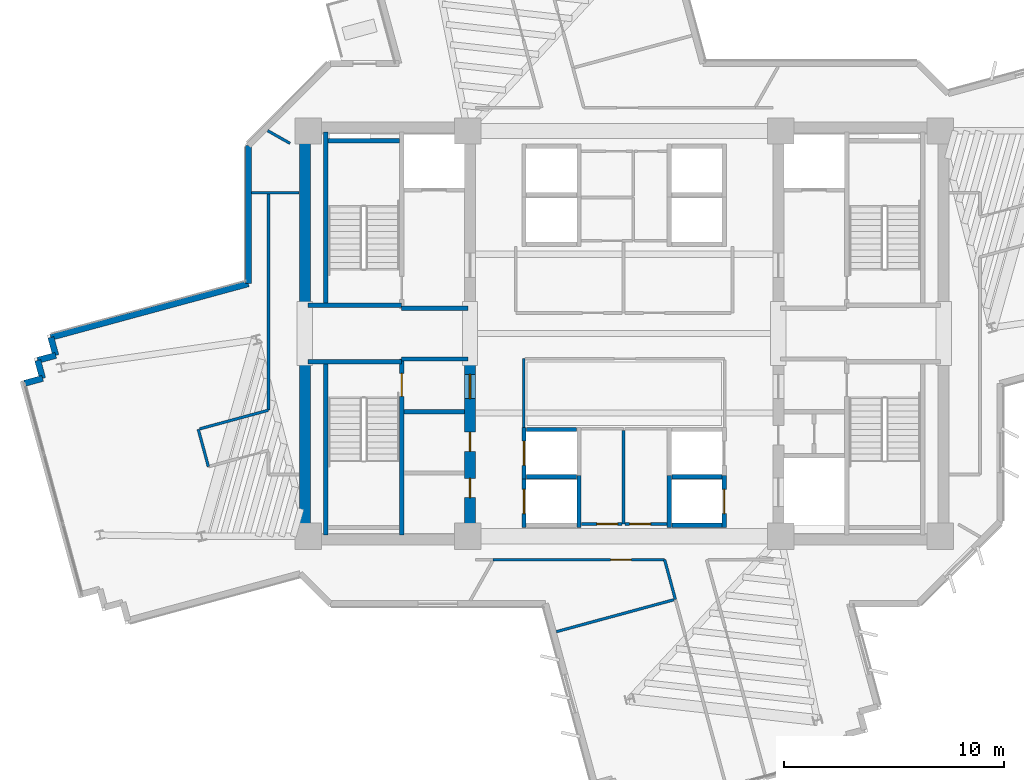
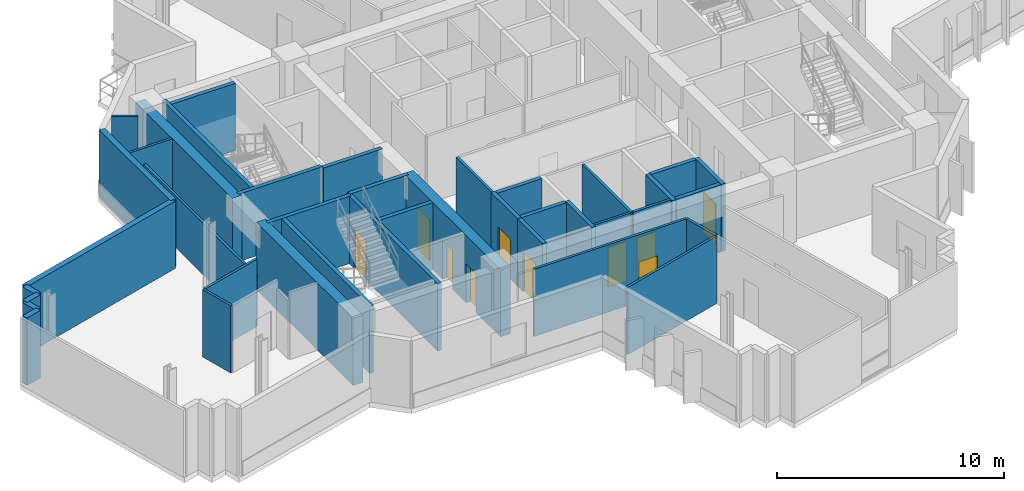
# One storey, part 8 of 15: 39 walls, 10 doors, 10 openings.
"""IFC4 building model written with IfcOpenShell, lengths in metres."""

from ifc_helpers import new_model, si_unit, direction, frame, frame_2d, origin, place, context, subcontext, project, spatial, rectangle, extrude, source, transform, mapped, material, layer, layer_set, type_object, element, fill, save


model = new_model("IFC4")

# Units and contexts
model_context = context("Model", 3, precision=1e-05, world=origin(), true_north=direction((0.0, 1.0)))
body_context = subcontext(model_context, "Body", "Model", "MODEL_VIEW")
ifc_project = project(units=[si_unit("LENGTHUNIT", "METRE"), si_unit("AREAUNIT", "SQUARE_METRE"), si_unit("VOLUMEUNIT", "CUBIC_METRE"), si_unit("PLANEANGLEUNIT", "RADIAN"), si_unit("MASSUNIT", "GRAM", prefix="KILO")], contexts=[model_context])

# Site, building, storey
site_placement = place(None, origin())
site = spatial("IfcSite", under=ifc_project, at=site_placement, CompositionType="ELEMENT")
building_placement = place(site_placement, origin())
building = spatial("IfcBuilding", under=site, at=building_placement, Name="Zahravan Cultural Tower", CompositionType="ELEMENT")
storey_placement = place(building_placement, frame((0.0, 0.0, 194.10009765625)))
storey = spatial("IfcBuildingStorey", under=building, at=storey_placement, Name="L45", CompositionType="ELEMENT", Elevation=194.10009765625)

# Wall, openings, doors
ifc_material_1 = material(Name="Concrete C60/75", Category="concrete")
ifc_layer_1 = layer(ifc_material_1, 0.5)
ifc_layer_set_1 = layer_set([ifc_layer_1], Name="Concrete C60/75")
wall_type_1 = type_object("IfcWallType", Name="CW-SHEAR-500-C60", PredefinedType="SHEAR", material=ifc_layer_set_1)
wall_1_placement = place(storey_placement, frame((29.0, 17.39990234375, 0.0), z_axis=(0.0, 0.0, 1.0), x_axis=(0.0, 1.0, 0.0)))
wall_1 = element("IfcWall", 1, at=wall_1_placement, inside=storey, type_object=wall_type_1, Name="L45 Core Shear Wall CW-W-ES-L45", PredefinedType="SHEAR", context=body_context, shape_type="SweptSolid", body=[
    extrude(rectangle(XDim=8.550048828125, YDim=0.5, at=frame_2d((4.27490234375, 0.0))), origin(), (0.0, 0.0, 1.0), 3.619873046875),
])
opening_1_placement = place(wall_1_placement, frame((6.64990234375, 0.0, 0.0)))
opening_1 = element("IfcOpeningElement", 2, at=opening_1_placement, cuts=wall_1, Name="Opening D-L45-07", PredefinedType="OPENING", context=body_context, shape_type="SweptSolid", body=[
    extrude(rectangle(XDim=1.10009765625, YDim=2.199951171875, at=frame_2d((0.550048828125, 1.10009765625))), frame((0.0, 0.260009765625, 0.0), z_axis=(0.0, -1.0, 0.0), x_axis=(1.0, 0.0, 0.0)), (0.0, 0.0, 1.0), 0.52001953125),
])
opening_2_placement = place(wall_1_placement, frame((2.14990234375, 0.0, 0.0)))
opening_2 = element("IfcOpeningElement", 3, at=opening_2_placement, cuts=wall_1, Name="Opening D-L45-09", PredefinedType="OPENING", context=body_context, shape_type="SweptSolid", body=[
    extrude(rectangle(XDim=0.8798828125, YDim=2.10009765625, at=frame_2d((0.43994140625, 1.050048828125))), frame((0.0, 0.260009765625, 0.0), z_axis=(0.0, -1.0, 0.0), x_axis=(1.0, 0.0, 0.0)), (0.0, 0.0, 1.0), 0.52001953125),
])
opening_3_placement = place(wall_1_placement, frame((4.25, 0.0, 0.0)))
opening_3 = element("IfcOpeningElement", 4, at=opening_3_placement, cuts=wall_1, Name="Opening D-L45-10", PredefinedType="OPENING", context=body_context, shape_type="SweptSolid", body=[
    extrude(rectangle(XDim=0.8798828125, YDim=2.10009765625, at=frame_2d((0.43994140625, 1.050048828125))), frame((0.0, 0.260009765625, 0.0), z_axis=(0.0, -1.0, 0.0), x_axis=(1.0, 0.0, 0.0)), (0.0, 0.0, 1.0), 0.52001953125),
])
ifc_material_2 = material(Name="Steel ASTM A572 Grade 50", Category="steel")
door_type_1 = type_object("IfcDoorType", Name="DR-LOBBY-1100", OperationType="NOTDEFINED", PredefinedType="DOOR", material=ifc_material_2)
shared_shape_1 = source(origin(), body_context, "Body", "SweptSolid", [
    extrude(rectangle(XDim=1.10009765625, YDim=2.199951171875, at=frame_2d((0.550048828125, 1.10009765625))), frame((0.0, 0.02490234375, 0.0), z_axis=(0.0, -1.0, 0.0), x_axis=(1.0, 0.0, 0.0)), (0.0, 0.0, 1.0), 0.050048828125),
])
door_1_placement = place(opening_1_placement, origin())
door_1 = element("IfcDoor", 5, at=door_1_placement, inside=storey, type_object=door_type_1, Name="L45 Door D-L45-07", OperationType="SINGLE_SWING_LEFT", OverallHeight=2.199951171875, OverallWidth=1.10009765625, PredefinedType="DOOR", context=body_context, shape_type="MappedRepresentation", body=[
    mapped(shared_shape_1, transform((0.0, 0.0, 0.0), x_axis=(1.0, 0.0, 0.0), y_axis=(0.0, 1.0, 0.0), z_axis=(0.0, 0.0, 1.0), scale=1.0)),
])
fill(opening_1, door_1)
door_type_2 = type_object("IfcDoorType", Name="DR-SVC-880", OperationType="NOTDEFINED", PredefinedType="DOOR", material=ifc_material_2)
shared_shape_2 = source(origin(), body_context, "Body", "SweptSolid", [
    extrude(rectangle(XDim=0.8798828125, YDim=2.10009765625, at=frame_2d((0.43994140625, 1.050048828125))), frame((0.0, 0.02490234375, 0.0), z_axis=(0.0, -1.0, 0.0), x_axis=(1.0, 0.0, 0.0)), (0.0, 0.0, 1.0), 0.050048828125),
])
door_2_placement = place(opening_2_placement, origin())
door_2 = element("IfcDoor", 6, at=door_2_placement, inside=storey, type_object=door_type_2, Name="L45 Door D-L45-09", OperationType="SINGLE_SWING_LEFT", OverallHeight=2.10009765625, OverallWidth=0.8798828125, PredefinedType="DOOR", context=body_context, shape_type="MappedRepresentation", body=[
    mapped(shared_shape_2, transform((0.0, 0.0, 0.0), x_axis=(1.0, 0.0, 0.0), y_axis=(0.0, 1.0, 0.0), z_axis=(0.0, 0.0, 1.0), scale=1.0)),
])
fill(opening_2, door_2)
door_3_placement = place(opening_3_placement, origin())
door_3 = element("IfcDoor", 7, at=door_3_placement, inside=storey, type_object=door_type_2, Name="L45 Door D-L45-10", OperationType="SINGLE_SWING_RIGHT", OverallHeight=2.10009765625, OverallWidth=0.8798828125, PredefinedType="DOOR", context=body_context, shape_type="MappedRepresentation", body=[
    mapped(shared_shape_2, transform((0.0, 0.0, 0.0), x_axis=(1.0, 0.0, 0.0), y_axis=(0.0, 1.0, 0.0), z_axis=(0.0, 0.0, 1.0), scale=1.0)),
])
fill(opening_3, door_3)

# Wall, opening, door
ifc_material_3 = material(Name="Gypsum plasterboard partition")
ifc_layer_2 = layer(ifc_material_3, 0.125)
ifc_layer_set_2 = layer_set([ifc_layer_2], Name="Gypsum plasterboard partition")
wall_type_2 = type_object("IfcWallType", Name="W-PART-125", PredefinedType="PARTITIONING", material=ifc_layer_set_2)
wall_2_placement = place(storey_placement, frame((35.902587890625, 18.360107421875, 0.0), z_axis=(0.0, 0.0, 1.0), x_axis=(-1.0, 0.0, 0.0)))
wall_2 = element("IfcWall", 8, at=wall_2_placement, inside=storey, type_object=wall_type_2, Name="L45 Interior Wall 065", PredefinedType="PARTITIONING", context=body_context, shape_type="SweptSolid", body=[
    extrude(rectangle(XDim=1.84765625, YDim=0.125, at=frame_2d((0.923828125, 0.0))), origin(), (0.0, 0.0, 1.0), 3.619873046875),
])
opening_4_placement = place(wall_2_placement, frame((0.197509765625, 0.0, 0.0)))
opening_4 = element("IfcOpeningElement", 9, at=opening_4_placement, cuts=wall_2, Name="Opening D-L45-18", PredefinedType="OPENING", context=body_context, shape_type="SweptSolid", body=[
    extrude(rectangle(XDim=0.949951171875, YDim=2.14990234375, at=frame_2d((0.47509765625, 1.074951171875))), frame((0.0, 0.072509765625, 0.0), z_axis=(0.0, -1.0, 0.0), x_axis=(1.0, 0.0, 0.0)), (0.0, 0.0, 1.0), 0.14501953125),
])
ifc_material_4 = material(Name="Anodised bronze-aluminium mullion", Category="aluminium")
door_type_3 = type_object("IfcDoorType", Name="DR-ROOM-950", OperationType="NOTDEFINED", PredefinedType="DOOR", material=ifc_material_4)
shared_shape_3 = source(origin(), body_context, "Body", "SweptSolid", [
    extrude(rectangle(XDim=0.949951171875, YDim=2.14990234375, at=frame_2d((0.47509765625, 1.074951171875))), frame((0.0, 0.02490234375, 0.0), z_axis=(0.0, -1.0, 0.0), x_axis=(1.0, 0.0, 0.0)), (0.0, 0.0, 1.0), 0.050048828125),
])
door_4_placement = place(opening_4_placement, origin())
door_4 = element("IfcDoor", 10, at=door_4_placement, inside=storey, type_object=door_type_3, Name="L45 Door D-L45-18", OperationType="SINGLE_SWING_RIGHT", OverallHeight=2.14990234375, OverallWidth=0.949951171875, PredefinedType="DOOR", context=body_context, shape_type="MappedRepresentation", body=[
    mapped(shared_shape_3, transform((0.0, 0.0, 0.0), x_axis=(1.0, 0.0, 0.0), y_axis=(0.0, 1.0, 0.0), z_axis=(0.0, 0.0, 1.0), scale=1.0)),
])
fill(opening_4, door_4)

wall_3_placement = place(storey_placement, frame((37.945068359375, 18.360107421875, 0.0), z_axis=(0.0, 0.0, 1.0), x_axis=(-1.0, 0.0, 0.0)))
wall_3 = element("IfcWall", 11, at=wall_3_placement, inside=storey, type_object=wall_type_2, Name="L45 Interior Wall 067", PredefinedType="PARTITIONING", context=body_context, shape_type="SweptSolid", body=[
    extrude(rectangle(XDim=1.907470703125, YDim=0.125, at=frame_2d((0.95361328125, 0.0))), origin(), (0.0, 0.0, 1.0), 3.619873046875),
])
opening_5_placement = place(wall_3_placement, frame((0.746826171875, 0.0, 0.0)))
opening_5 = element("IfcOpeningElement", 12, at=opening_5_placement, cuts=wall_3, Name="Opening D-L45-19", PredefinedType="OPENING", context=body_context, shape_type="SweptSolid", body=[
    extrude(rectangle(XDim=0.949951171875, YDim=2.14990234375, at=frame_2d((0.47509765625, 1.074951171875))), frame((0.0, 0.072509765625, 0.0), z_axis=(0.0, -1.0, 0.0), x_axis=(1.0, 0.0, 0.0)), (0.0, 0.0, 1.0), 0.14501953125),
])
door_5_placement = place(opening_5_placement, origin())
door_5 = element("IfcDoor", 13, at=door_5_placement, inside=storey, type_object=door_type_3, Name="L45 Door D-L45-19", OperationType="SINGLE_SWING_LEFT", OverallHeight=2.14990234375, OverallWidth=0.949951171875, PredefinedType="DOOR", context=body_context, shape_type="MappedRepresentation", body=[
    mapped(shared_shape_3, transform((0.0, 0.0, 0.0), x_axis=(1.0, 0.0, 0.0), y_axis=(0.0, 1.0, 0.0), z_axis=(0.0, 0.0, 1.0), scale=1.0)),
])
fill(opening_5, door_5)

wall_4_placement = place(storey_placement, frame((30.044677734375, 16.739990234375, 0.0), z_axis=(0.0, 0.0, 1.0), x_axis=(1.0, 0.0, 0.0)))
wall_4 = element("IfcWall", 14, at=wall_4_placement, inside=storey, type_object=wall_type_2, Name="L45 Interior Wall 077", PredefinedType="PARTITIONING", context=body_context, shape_type="SweptSolid", body=[
    extrude(rectangle(XDim=7.78955078125, YDim=0.125, at=frame_2d((3.894775390625, 0.0))), origin(), (0.0, 0.0, 1.0), 3.619873046875),
])
opening_6_placement = place(wall_4_placement, frame((5.3349609375, 0.0, 0.0)))
opening_6 = element("IfcOpeningElement", 15, at=opening_6_placement, cuts=wall_4, Name="Opening D-L45-25", PredefinedType="OPENING", context=body_context, shape_type="SweptSolid", body=[
    extrude(rectangle(XDim=0.949951171875, YDim=2.14990234375, at=frame_2d((0.47509765625, 1.074951171875))), frame((0.0, 0.072509765625, 0.0), z_axis=(0.0, -1.0, 0.0), x_axis=(1.0, 0.0, 0.0)), (0.0, 0.0, 1.0), 0.14501953125),
])
door_6_placement = place(opening_6_placement, origin())
door_6 = element("IfcDoor", 16, at=door_6_placement, inside=storey, type_object=door_type_3, Name="L45 Door D-L45-25", OperationType="SINGLE_SWING_LEFT", OverallHeight=2.14990234375, OverallWidth=0.949951171875, PredefinedType="DOOR", context=body_context, shape_type="MappedRepresentation", body=[
    mapped(shared_shape_3, transform((0.0, 0.0, 0.0), x_axis=(1.0, 0.0, 0.0), y_axis=(0.0, 1.0, 0.0), z_axis=(0.0, 0.0, 1.0), scale=1.0)),
])
fill(opening_6, door_6)

ifc_material_5 = material(Name="Concrete C45/55", Category="concrete")
ifc_layer_3 = layer(ifc_material_5, 0.199951171875)
ifc_layer_set_3 = layer_set([ifc_layer_3], Name="Concrete C45/55")
wall_type_3 = type_object("IfcWallType", Name="W-SHAFT-200", PredefinedType="SOLIDWALL", material=ifc_layer_set_3)
wall_5_placement = place(storey_placement, frame((25.89990234375, 17.85009765625, 0.0), z_axis=(0.0, 0.0, 1.0), x_axis=(0.0, 1.0, 0.0)))
wall_5 = element("IfcWall", 17, at=wall_5_placement, inside=storey, type_object=wall_type_3, Name="L45 Interior Wall 005", PredefinedType="SOLIDWALL", context=body_context, shape_type="SweptSolid", body=[
    extrude(rectangle(XDim=8.0, YDim=0.199951171875, at=frame_2d((4.0, 0.0))), origin(), (0.0, 0.0, 1.0), 3.619873046875),
])
opening_7_placement = place(wall_5_placement, frame((6.300048828125, 0.0, 0.0)))
opening_7 = element("IfcOpeningElement", 18, at=opening_7_placement, cuts=wall_5, Name="Opening D-L45-04", PredefinedType="OPENING", context=body_context, shape_type="SweptSolid", body=[
    extrude(rectangle(XDim=1.050048828125, YDim=2.14990234375, at=frame_2d((0.52490234375, 1.074951171875))), frame((0.0, 0.10986328125, 0.0), z_axis=(0.0, -1.0, 0.0), x_axis=(1.0, 0.0, 0.0)), (0.0, 0.0, 1.0), 0.219970703125),
])
door_type_4 = type_object("IfcDoorType", Name="DR-STAIR-1050", OperationType="NOTDEFINED", PredefinedType="DOOR", material=ifc_material_2)
shared_shape_4 = source(origin(), body_context, "Body", "SweptSolid", [
    extrude(rectangle(XDim=1.050048828125, YDim=2.14990234375, at=frame_2d((0.52490234375, 1.074951171875))), frame((0.0, 0.02490234375, 0.0), z_axis=(0.0, -1.0, 0.0), x_axis=(1.0, 0.0, 0.0)), (0.0, 0.0, 1.0), 0.050048828125),
])
door_7_placement = place(opening_7_placement, origin())
door_7 = element("IfcDoor", 19, at=door_7_placement, inside=storey, type_object=door_type_4, Name="L45 Door D-L45-04", OperationType="SINGLE_SWING_RIGHT", OverallHeight=2.14990234375, OverallWidth=1.050048828125, PredefinedType="DOOR", context=body_context, shape_type="MappedRepresentation", body=[
    mapped(shared_shape_4, transform((0.0, 0.0, 0.0), x_axis=(1.0, 0.0, 0.0), y_axis=(0.0, 1.0, 0.0), z_axis=(0.0, 0.0, 1.0), scale=1.0)),
])
fill(opening_7, door_7)

wall_6_placement = place(storey_placement, frame((31.449951171875, 20.39990234375, 0.0), z_axis=(0.0, 0.0, 1.0), x_axis=(0.0, 1.0, 0.0)))
wall_6 = element("IfcWall", 20, at=wall_6_placement, inside=storey, type_object=wall_type_3, Name="L45 Interior Wall 042", PredefinedType="SOLIDWALL", context=body_context, shape_type="SweptSolid", body=[
    extrude(rectangle(XDim=2.35009765625, YDim=0.199951171875, at=frame_2d((1.175048828125, 0.0))), origin(), (0.0, 0.0, 1.0), 3.619873046875),
])
opening_8_placement = place(wall_6_placement, frame((0.625, 0.0, 0.0)))
opening_8 = element("IfcOpeningElement", 21, at=opening_8_placement, cuts=wall_6, Name="Opening LD-L45-04", PredefinedType="OPENING", context=body_context, shape_type="SweptSolid", body=[
    extrude(rectangle(XDim=1.10009765625, YDim=2.14990234375, at=frame_2d((0.550048828125, 1.074951171875))), frame((0.0, 0.10986328125, 0.0), z_axis=(0.0, -1.0, 0.0), x_axis=(1.0, 0.0, 0.0)), (0.0, 0.0, 1.0), 0.219970703125),
])
door_type_5 = type_object("IfcDoorType", Name="DR-LIFT-1100", OperationType="DOUBLE_DOOR_SLIDING", PredefinedType="DOOR", material=ifc_material_2)
shared_shape_5 = source(origin(), body_context, "Body", "SweptSolid", [
    extrude(rectangle(XDim=1.10009765625, YDim=2.14990234375, at=frame_2d((0.550048828125, 1.074951171875))), frame((0.0, 0.02490234375, 0.0), z_axis=(0.0, -1.0, 0.0), x_axis=(1.0, 0.0, 0.0)), (0.0, 0.0, 1.0), 0.050048828125),
])
door_8_placement = place(opening_8_placement, origin())
door_8 = element("IfcDoor", 22, at=door_8_placement, inside=storey, type_object=door_type_5, Name="L45 Door LD-L45-04", OperationType="DOUBLE_DOOR_SLIDING", OverallHeight=2.14990234375, OverallWidth=1.10009765625, PredefinedType="DOOR", context=body_context, shape_type="MappedRepresentation", body=[
    mapped(shared_shape_5, transform((0.0, 0.0, 0.0), x_axis=(1.0, 0.0, 0.0), y_axis=(0.0, 1.0, 0.0), z_axis=(0.0, 0.0, 1.0), scale=1.0)),
])
fill(opening_8, door_8)

wall_7_placement = place(storey_placement, frame((31.449951171875, 18.199951171875, 0.0), z_axis=(0.0, 0.0, 1.0), x_axis=(0.0, 1.0, 0.0)))
wall_7 = element("IfcWall", 23, at=wall_7_placement, inside=storey, type_object=wall_type_3, Name="L45 Interior Wall 046", PredefinedType="SOLIDWALL", context=body_context, shape_type="SweptSolid", body=[
    extrude(rectangle(XDim=2.35009765625, YDim=0.199951171875, at=frame_2d((1.175048828125, 0.0))), origin(), (0.0, 0.0, 1.0), 3.619873046875),
])
opening_9_placement = place(wall_7_placement, frame((0.625, 0.0, 0.0)))
opening_9 = element("IfcOpeningElement", 24, at=opening_9_placement, cuts=wall_7, Name="Opening LD-L45-05", PredefinedType="OPENING", context=body_context, shape_type="SweptSolid", body=[
    extrude(rectangle(XDim=1.10009765625, YDim=2.14990234375, at=frame_2d((0.550048828125, 1.074951171875))), frame((0.0, 0.10986328125, 0.0), z_axis=(0.0, -1.0, 0.0), x_axis=(1.0, 0.0, 0.0)), (0.0, 0.0, 1.0), 0.219970703125),
])
door_9_placement = place(opening_9_placement, origin())
door_9 = element("IfcDoor", 25, at=door_9_placement, inside=storey, type_object=door_type_5, Name="L45 Door LD-L45-05", OperationType="DOUBLE_DOOR_SLIDING", OverallHeight=2.14990234375, OverallWidth=1.10009765625, PredefinedType="DOOR", context=body_context, shape_type="MappedRepresentation", body=[
    mapped(shared_shape_5, transform((0.0, 0.0, 0.0), x_axis=(1.0, 0.0, 0.0), y_axis=(0.0, 1.0, 0.0), z_axis=(0.0, 0.0, 1.0), scale=1.0)),
])
fill(opening_9, door_9)

wall_8_placement = place(storey_placement, frame((40.550048828125, 18.199951171875, 0.0), z_axis=(0.0, 0.0, 1.0), x_axis=(0.0, 1.0, 0.0)))
wall_8 = element("IfcWall", 26, at=wall_8_placement, inside=storey, type_object=wall_type_3, Name="L45 Interior Wall 054", PredefinedType="SOLIDWALL", context=body_context, shape_type="SweptSolid", body=[
    extrude(rectangle(XDim=2.35009765625, YDim=0.199951171875, at=frame_2d((1.175048828125, 0.0))), origin(), (0.0, 0.0, 1.0), 3.619873046875),
])
opening_10_placement = place(wall_8_placement, frame((0.625, 0.0, 0.0)))
opening_10 = element("IfcOpeningElement", 27, at=opening_10_placement, cuts=wall_8, Name="Opening LD-L45-07", PredefinedType="OPENING", context=body_context, shape_type="SweptSolid", body=[
    extrude(rectangle(XDim=1.10009765625, YDim=2.14990234375, at=frame_2d((0.550048828125, 1.074951171875))), frame((0.0, 0.10986328125, 0.0), z_axis=(0.0, -1.0, 0.0), x_axis=(1.0, 0.0, 0.0)), (0.0, 0.0, 1.0), 0.219970703125),
])
door_10_placement = place(opening_10_placement, origin())
door_10 = element("IfcDoor", 28, at=door_10_placement, inside=storey, type_object=door_type_5, Name="L45 Door LD-L45-07", OperationType="DOUBLE_DOOR_SLIDING", OverallHeight=2.14990234375, OverallWidth=1.10009765625, PredefinedType="DOOR", context=body_context, shape_type="MappedRepresentation", body=[
    mapped(shared_shape_5, transform((0.0, 0.0, 0.0), x_axis=(1.0, 0.0, 0.0), y_axis=(0.0, 1.0, 0.0), z_axis=(0.0, 0.0, 1.0), scale=1.0)),
])
fill(opening_10, door_10)

# Walls
shared_shape_6 = source(origin(), body_context, "Body", "SweptSolid", [
    extrude(rectangle(XDim=8.550048828125, YDim=0.5, at=frame_2d((4.27490234375, 0.0))), origin(), (0.0, 0.0, 1.0), 3.619873046875),
])
for number, where, z_axis, x_axis, name in (
    (29, (21.5, 17.39990234375, 0.0), (0.0, 0.0, 1.0), (0.0, 1.0, 0.0), "L45 Core Shear Wall CW-W-WS-L45"),
    (30, (21.5, 28.050048828125, 0.0), (0.0, 0.0, 1.0), (0.0, 1.0, 0.0), "L45 Core Shear Wall CW-W-WN-L45"),
):
    element("IfcWall", number, at=place(storey_placement, frame(where, z_axis=z_axis, x_axis=x_axis)), inside=storey, type_object=wall_type_1, Name=name, PredefinedType="SHEAR", context=body_context, shape_type="MappedRepresentation", body=[
        mapped(shared_shape_6, transform((0.0, 0.0, 0.0), x_axis=(1.0, 0.0, 0.0), y_axis=(0.0, 1.0, 0.0), z_axis=(0.0, 0.0, 1.0), scale=1.0)),
    ])
ifc_material_6 = material(Name="Precast concrete C40/50", Category="concrete")
ifc_layer_4 = layer(ifc_material_6, 0.280029296875)
ifc_layer_set_4 = layer_set([ifc_layer_4], Name="Precast concrete C40/50")
wall_type_4 = type_object("IfcWallType", Name="EW-TC-280", PredefinedType="SOLIDWALL", material=ifc_layer_set_4)
shared_shape_7 = source(origin(), body_context, "Body", "SweptSolid", [
    extrude(rectangle(XDim=0.85009765625, YDim=0.280029296875, at=frame_2d((0.425048828125, 0.0))), origin(), (0.0, 0.0, 1.0), 3.619873046875),
])
for number, where, z_axis, x_axis, name in (
    (31, (8.779296875, 24.744140625, 0.0), (0.0, 0.0, 1.0), (0.965081274591, 0.261950631675, 0.0), "L45 Exterior Masonry Frame Wall 32"),
    (32, (9.599609375, 24.966796875, 0.0), (0.0, 0.0, 1.0), (-0.262218119094, 0.965008631059, 0.0), "L45 Exterior Masonry Frame Wall 33"),
    (33, (9.376708984375, 25.787109375, 0.0), (0.0, 0.0, 1.0), (0.965008631059, 0.262218119094, 0.0), "L45 Exterior Masonry Frame Wall 34"),
    (34, (10.197021484375, 26.010009765625, 0.0), (0.0, 0.0, 1.0), (-0.262218119094, 0.965008631059, 0.0), "L45 Exterior Masonry Frame Wall 35"),
):
    element("IfcWall", number, at=place(storey_placement, frame(where, z_axis=z_axis, x_axis=x_axis)), inside=storey, type_object=wall_type_4, Name=name, PredefinedType="SOLIDWALL", context=body_context, shape_type="MappedRepresentation", body=[
        mapped(shared_shape_7, transform((0.0, 0.0, 0.0), x_axis=(1.0, 0.0, 0.0), y_axis=(0.0, 1.0, 0.0), z_axis=(0.0, 0.0, 1.0), scale=1.0)),
    ])
shared_shape_8 = source(origin(), body_context, "Body", "SweptSolid", [
    extrude(rectangle(XDim=9.290771484375, YDim=0.280029296875, at=frame_2d((4.6455078125, 0.0))), origin(), (0.0, 0.0, 1.0), 3.619873046875),
])
wall_9_placement = place(storey_placement, frame((9.97412109375, 26.830322265625, 0.0), z_axis=(0.0, 0.0, 1.0), x_axis=(0.965014433153, 0.262196765439, 0.0)))
element("IfcWall", 35, at=wall_9_placement, inside=storey, type_object=wall_type_4, Name="L45 Exterior Masonry Frame Wall 36", PredefinedType="SOLIDWALL", context=body_context, shape_type="MappedRepresentation", body=[
    mapped(shared_shape_8, transform((0.0, 0.0, 0.0), x_axis=(1.0, 0.0, 0.0), y_axis=(0.0, 1.0, 0.0), z_axis=(0.0, 0.0, 1.0), scale=1.0)),
])
shared_shape_9 = source(origin(), body_context, "Body", "SweptSolid", [
    extrude(rectangle(XDim=6.275634765625, YDim=0.280029296875, at=frame_2d((3.1376953125, 0.0))), origin(), (0.0, 0.0, 1.0), 3.619873046875),
])
wall_10_placement = place(storey_placement, frame((18.93994140625, 29.266357421875, 0.0), z_axis=(0.0, 0.0, 1.0), x_axis=(0.0, 1.0, 0.0)))
element("IfcWall", 36, at=wall_10_placement, inside=storey, type_object=wall_type_4, Name="L45 Exterior Masonry Frame Wall 37", PredefinedType="SOLIDWALL", context=body_context, shape_type="MappedRepresentation", body=[
    mapped(shared_shape_9, transform((0.0, 0.0, 0.0), x_axis=(1.0, 0.0, 0.0), y_axis=(0.0, 1.0, 0.0), z_axis=(0.0, 0.0, 1.0), scale=1.0)),
])
shared_shape_10 = source(origin(), body_context, "Body", "SweptSolid", [
    extrude(rectangle(XDim=7.869873046875, YDim=0.199951171875, at=frame_2d((3.93505859375, 0.0))), origin(), (0.0, 0.0, 1.0), 3.619873046875),
])
for number, where, z_axis, x_axis, name in (
    (37, (22.449951171875, 17.85009765625, 0.0), (0.0, 0.0, 1.0), (0.0, 1.0, 0.0), "L45 Interior Wall 001"),
    (38, (22.449951171875, 28.280029296875, 0.0), (0.0, 0.0, 1.0), (0.0, 1.0, 0.0), "L45 Interior Wall 002"),
):
    element("IfcWall", number, at=place(storey_placement, frame(where, z_axis=z_axis, x_axis=x_axis)), inside=storey, type_object=wall_type_3, Name=name, PredefinedType="SOLIDWALL", context=body_context, shape_type="MappedRepresentation", body=[
        mapped(shared_shape_10, transform((0.0, 0.0, 0.0), x_axis=(1.0, 0.0, 0.0), y_axis=(0.0, 1.0, 0.0), z_axis=(0.0, 0.0, 1.0), scale=1.0)),
    ])
shared_shape_11 = source(origin(), body_context, "Body", "SweptSolid", [
    extrude(rectangle(XDim=4.25, YDim=0.199951171875, at=frame_2d((2.125, 0.0))), origin(), (0.0, 0.0, 1.0), 3.619873046875),
])
for number, where, z_axis, x_axis, name in (
    (39, (21.64990234375, 25.715087890625, 0.0), (0.0, 0.0, 1.0), (1.0, 0.0, 0.0), "L45 Interior Wall 009"),
    (40, (21.64990234375, 28.284912109375, 0.0), (0.0, 0.0, 1.0), (1.0, 0.0, 0.0), "L45 Interior Wall 011"),
):
    element("IfcWall", number, at=place(storey_placement, frame(where, z_axis=z_axis, x_axis=x_axis)), inside=storey, type_object=wall_type_3, Name=name, PredefinedType="SOLIDWALL", context=body_context, shape_type="MappedRepresentation", body=[
        mapped(shared_shape_11, transform((0.0, 0.0, 0.0), x_axis=(1.0, 0.0, 0.0), y_axis=(0.0, 1.0, 0.0), z_axis=(0.0, 0.0, 1.0), scale=1.0)),
    ])
shared_shape_12 = source(origin(), body_context, "Body", "SweptSolid", [
    extrude(rectangle(XDim=3.0, YDim=0.199951171875, at=frame_2d((1.5, 0.0))), origin(), (0.0, 0.0, 1.0), 3.619873046875),
])
for number, where, z_axis, x_axis, name in (
    (41, (25.89990234375, 25.85009765625, 0.0), (0.0, 0.0, 1.0), (1.0, 0.0, 0.0), "L45 Interior Wall 010"),
    (42, (25.89990234375, 28.14990234375, 0.0), (0.0, 0.0, 1.0), (1.0, 0.0, 0.0), "L45 Interior Wall 012"),
):
    element("IfcWall", number, at=place(storey_placement, frame(where, z_axis=z_axis, x_axis=x_axis)), inside=storey, type_object=wall_type_3, Name=name, PredefinedType="SOLIDWALL", context=body_context, shape_type="MappedRepresentation", body=[
        mapped(shared_shape_12, transform((0.0, 0.0, 0.0), x_axis=(1.0, 0.0, 0.0), y_axis=(0.0, 1.0, 0.0), z_axis=(0.0, 0.0, 1.0), scale=1.0)),
    ])
shared_shape_13 = source(origin(), body_context, "Body", "SweptSolid", [
    extrude(rectangle(XDim=3.25, YDim=0.199951171875, at=frame_2d((1.625, 0.0))), origin(), (0.0, 0.0, 1.0), 3.619873046875),
])
wall_11_placement = place(storey_placement, frame((22.550048828125, 35.75, 0.0), z_axis=(0.0, 0.0, 1.0), x_axis=(1.0, 0.0, 0.0)))
element("IfcWall", 43, at=wall_11_placement, inside=storey, type_object=wall_type_3, Name="L45 Interior Wall 017", PredefinedType="SOLIDWALL", context=body_context, shape_type="MappedRepresentation", body=[
    mapped(shared_shape_13, transform((0.0, 0.0, 0.0), x_axis=(1.0, 0.0, 0.0), y_axis=(0.0, 1.0, 0.0), z_axis=(0.0, 0.0, 1.0), scale=1.0)),
])
shared_shape_14 = source(origin(), body_context, "Body", "SweptSolid", [
    extrude(rectangle(XDim=2.75, YDim=0.199951171875, at=frame_2d((1.375, 0.0))), origin(), (0.0, 0.0, 1.0), 3.619873046875),
])
wall_12_placement = place(storey_placement, frame((26.0, 23.449951171875, 0.0), z_axis=(0.0, 0.0, 1.0), x_axis=(1.0, 0.0, 0.0)))
element("IfcWall", 44, at=wall_12_placement, inside=storey, type_object=wall_type_3, Name="L45 Interior Wall 023", PredefinedType="SOLIDWALL", context=body_context, shape_type="MappedRepresentation", body=[
    mapped(shared_shape_14, transform((0.0, 0.0, 0.0), x_axis=(1.0, 0.0, 0.0), y_axis=(0.0, 1.0, 0.0), z_axis=(0.0, 0.0, 1.0), scale=1.0)),
])
shared_shape_15 = source(origin(), body_context, "Body", "SweptSolid", [
    extrude(rectangle(XDim=2.260009765625, YDim=0.199951171875, at=frame_2d((1.1298828125, 0.0))), origin(), (0.0, 0.0, 1.0), 3.619873046875),
])
for number, where, z_axis, x_axis, name in (
    (45, (31.570068359375, 20.5, 0.0), (0.0, 0.0, 1.0), (1.0, 0.0, 0.0), "L45 Interior Wall 044"),
    (46, (31.570068359375, 22.64990234375, 0.0), (0.0, 0.0, 1.0), (1.0, 0.0, 0.0), "L45 Interior Wall 045"),
    (47, (38.169921875, 20.5, 0.0), (0.0, 0.0, 1.0), (1.0, 0.0, 0.0), "L45 Interior Wall 051"),
    (48, (38.169921875, 18.300048828125, 0.0), (0.0, 0.0, 1.0), (1.0, 0.0, 0.0), "L45 Interior Wall 055"),
):
    element("IfcWall", number, at=place(storey_placement, frame(where, z_axis=z_axis, x_axis=x_axis)), inside=storey, type_object=wall_type_3, Name=name, PredefinedType="SOLIDWALL", context=body_context, shape_type="MappedRepresentation", body=[
        mapped(shared_shape_15, transform((0.0, 0.0, 0.0), x_axis=(1.0, 0.0, 0.0), y_axis=(0.0, 1.0, 0.0), z_axis=(0.0, 0.0, 1.0), scale=1.0)),
    ])
shared_shape_16 = source(origin(), body_context, "Body", "SweptSolid", [
    extrude(rectangle(XDim=2.35009765625, YDim=0.199951171875, at=frame_2d((1.175048828125, 0.0))), origin(), (0.0, 0.0, 1.0), 3.619873046875),
])
for number, where, z_axis, x_axis, name in (
    (49, (33.949951171875, 18.199951171875, 0.0), (0.0, 0.0, 1.0), (0.0, 1.0, 0.0), "L45 Interior Wall 047"),
    (50, (38.050048828125, 18.199951171875, 0.0), (0.0, 0.0, 1.0), (0.0, 1.0, 0.0), "L45 Interior Wall 053"),
):
    element("IfcWall", number, at=place(storey_placement, frame(where, z_axis=z_axis, x_axis=x_axis)), inside=storey, type_object=wall_type_3, Name=name, PredefinedType="SOLIDWALL", context=body_context, shape_type="MappedRepresentation", body=[
        mapped(shared_shape_16, transform((0.0, 0.0, 0.0), x_axis=(1.0, 0.0, 0.0), y_axis=(0.0, 1.0, 0.0), z_axis=(0.0, 0.0, 1.0), scale=1.0)),
    ])
shared_shape_17 = source(origin(), body_context, "Body", "SweptSolid", [
    extrude(rectangle(XDim=3.110107421875, YDim=0.125, at=frame_2d((1.55517578125, 0.0))), origin(), (0.0, 0.0, 1.0), 3.619873046875),
])
wall_13_placement = place(storey_placement, frame((31.43994140625, 22.75, 0.0), z_axis=(0.0, 0.0, 1.0), x_axis=(0.0, 1.0, 0.0)))
element("IfcWall", 51, at=wall_13_placement, inside=storey, type_object=wall_type_2, Name="L45 Interior Wall 081", PredefinedType="PARTITIONING", context=body_context, shape_type="MappedRepresentation", body=[
    mapped(shared_shape_17, transform((0.0, 0.0, 0.0), x_axis=(1.0, 0.0, 0.0), y_axis=(0.0, 1.0, 0.0), z_axis=(0.0, 0.0, 1.0), scale=1.0)),
])
shared_shape_18 = source(origin(), body_context, "Body", "SweptSolid", [
    extrude(rectangle(XDim=5.52734375, YDim=0.125, at=frame_2d((2.763671875, 0.0))), origin(), (0.0, 0.0, 1.0), 3.619873046875),
])
wall_14_placement = place(storey_placement, frame((38.2587890625, 14.919677734375, 0.0), z_axis=(0.0, 0.0, 1.0), x_axis=(-0.965004985248, -0.262231535949, 0.0)))
element("IfcWall", 52, at=wall_14_placement, inside=storey, type_object=wall_type_2, Name="L45 Interior Wall 079", PredefinedType="PARTITIONING", context=body_context, shape_type="MappedRepresentation", body=[
    mapped(shared_shape_18, transform((0.0, 0.0, 0.0), x_axis=(1.0, 0.0, 0.0), y_axis=(0.0, 1.0, 0.0), z_axis=(0.0, 0.0, 1.0), scale=1.0)),
])
shared_shape_19 = source(origin(), body_context, "Body", "SweptSolid", [
    extrude(rectangle(XDim=4.25244140625, YDim=0.125, at=frame_2d((2.126220703125, 0.0))), origin(), (0.0, 0.0, 1.0), 3.619873046875),
])
wall_15_placement = place(storey_placement, frame((35.969970703125, 22.612548828125, 0.0), z_axis=(0.0, 0.0, 1.0), x_axis=(0.0, -1.0, 0.0)))
element("IfcWall", 53, at=wall_15_placement, inside=storey, type_object=wall_type_2, Name="L45 Interior Wall 064", PredefinedType="PARTITIONING", context=body_context, shape_type="MappedRepresentation", body=[
    mapped(shared_shape_19, transform((0.0, 0.0, 0.0), x_axis=(1.0, 0.0, 0.0), y_axis=(0.0, 1.0, 0.0), z_axis=(0.0, 0.0, 1.0), scale=1.0)),
])
shared_shape_20 = source(origin(), body_context, "Body", "SweptSolid", [
    extrude(rectangle(XDim=2.1650390625, YDim=0.125, at=frame_2d((1.08251953125, 0.0))), origin(), (0.0, 0.0, 1.0), 3.619873046875),
])
wall_16_placement = place(storey_placement, frame((21.2451171875, 33.39990234375, 0.0), z_axis=(0.0, 0.0, 1.0), x_axis=(-1.0, 0.0, 0.0)))
element("IfcWall", 54, at=wall_16_placement, inside=storey, type_object=wall_type_2, Name="L45 Interior Wall 100", PredefinedType="PARTITIONING", context=body_context, shape_type="MappedRepresentation", body=[
    mapped(shared_shape_20, transform((0.0, 0.0, 0.0), x_axis=(1.0, 0.0, 0.0), y_axis=(0.0, 1.0, 0.0), z_axis=(0.0, 0.0, 1.0), scale=1.0)),
])
shared_shape_21 = source(origin(), body_context, "Body", "SweptSolid", [
    extrude(rectangle(XDim=1.8681640625, YDim=0.125, at=frame_2d((0.93408203125, 0.0))), origin(), (0.0, 0.0, 1.0), 3.619873046875),
])
wall_17_placement = place(storey_placement, frame((37.834228515625, 16.739990234375, 0.0), z_axis=(0.0, 0.0, 1.0), x_axis=(0.262166249224, -0.965022723964, 0.0)))
element("IfcWall", 55, at=wall_17_placement, inside=storey, type_object=wall_type_2, Name="L45 Interior Wall 078", PredefinedType="PARTITIONING", context=body_context, shape_type="MappedRepresentation", body=[
    mapped(shared_shape_21, transform((0.0, 0.0, 0.0), x_axis=(1.0, 0.0, 0.0), y_axis=(0.0, 1.0, 0.0), z_axis=(0.0, 0.0, 1.0), scale=1.0)),
])
shared_shape_22 = source(origin(), body_context, "Body", "SweptSolid", [
    extrude(rectangle(XDim=1.166015625, YDim=0.125, at=frame_2d((0.5830078125, 0.0))), origin(), (0.0, 0.0, 1.0), 3.619873046875),
])
wall_18_placement = place(storey_placement, frame((20.830078125, 35.6376953125, 0.0), z_axis=(0.0, 0.0, 1.0), x_axis=(-0.870117959309, 0.492843521707, 0.0)))
element("IfcWall", 56, at=wall_18_placement, inside=storey, type_object=wall_type_2, Name="L45 Interior Wall 093", PredefinedType="PARTITIONING", context=body_context, shape_type="MappedRepresentation", body=[
    mapped(shared_shape_22, transform((0.0, 0.0, 0.0), x_axis=(1.0, 0.0, 0.0), y_axis=(0.0, 1.0, 0.0), z_axis=(0.0, 0.0, 1.0), scale=1.0)),
])
shared_shape_23 = source(origin(), body_context, "Body", "SweptSolid", [
    extrude(rectangle(XDim=1.755859375, YDim=0.125, at=frame_2d((0.8779296875, 0.0))), origin(), (0.0, 0.0, 1.0), 3.619873046875),
])
wall_19_placement = place(storey_placement, frame((16.66455078125, 22.6572265625, 0.0), z_axis=(0.0, 0.0, 1.0), x_axis=(0.262246637243, -0.965000881479, 0.0)))
element("IfcWall", 57, at=wall_19_placement, inside=storey, type_object=wall_type_2, Name="L45 Interior Wall 094", PredefinedType="PARTITIONING", context=body_context, shape_type="MappedRepresentation", body=[
    mapped(shared_shape_23, transform((0.0, 0.0, 0.0), x_axis=(1.0, 0.0, 0.0), y_axis=(0.0, 1.0, 0.0), z_axis=(0.0, 0.0, 1.0), scale=1.0)),
])
shared_shape_24 = source(origin(), body_context, "Body", "SweptSolid", [
    extrude(rectangle(XDim=9.80859375, YDim=0.125, at=frame_2d((4.904296875, 0.0))), origin(), (0.0, 0.0, 1.0), 2.765869140625),
])
wall_20_placement = place(storey_placement, frame((19.850341796875, 33.33251953125, 0.0), z_axis=(0.0, 0.0, 1.0), x_axis=(-2.4890482e-05, -0.99999999969, 0.0)))
element("IfcWall", 58, at=wall_20_placement, inside=storey, type_object=wall_type_2, Name="L45 Interior Wall 101", PredefinedType="PARTITIONING", context=body_context, shape_type="MappedRepresentation", body=[
    mapped(shared_shape_24, transform((0.0, 0.0, 0.0), x_axis=(1.0, 0.0, 0.0), y_axis=(0.0, 1.0, 0.0), z_axis=(0.0, 0.0, 1.0), scale=1.0)),
])
shared_shape_25 = source(origin(), body_context, "Body", "SweptSolid", [
    extrude(rectangle(XDim=3.23388671875, YDim=0.125, at=frame_2d((1.616943359375, 0.0))), origin(), (0.0, 0.0, 1.0), 3.619873046875),
])
wall_21_placement = place(storey_placement, frame((19.849853515625, 23.52392578125, 0.0), z_axis=(0.0, 0.0, 1.0), x_axis=(-0.964930881857, -0.262504082327, 0.0)))
element("IfcWall", 59, at=wall_21_placement, inside=storey, type_object=wall_type_2, Name="L45 Interior Wall 102", PredefinedType="PARTITIONING", context=body_context, shape_type="MappedRepresentation", body=[
    mapped(shared_shape_25, transform((0.0, 0.0, 0.0), x_axis=(1.0, 0.0, 0.0), y_axis=(0.0, 1.0, 0.0), z_axis=(0.0, 0.0, 1.0), scale=1.0)),
])

save(model, "model.ifc")
